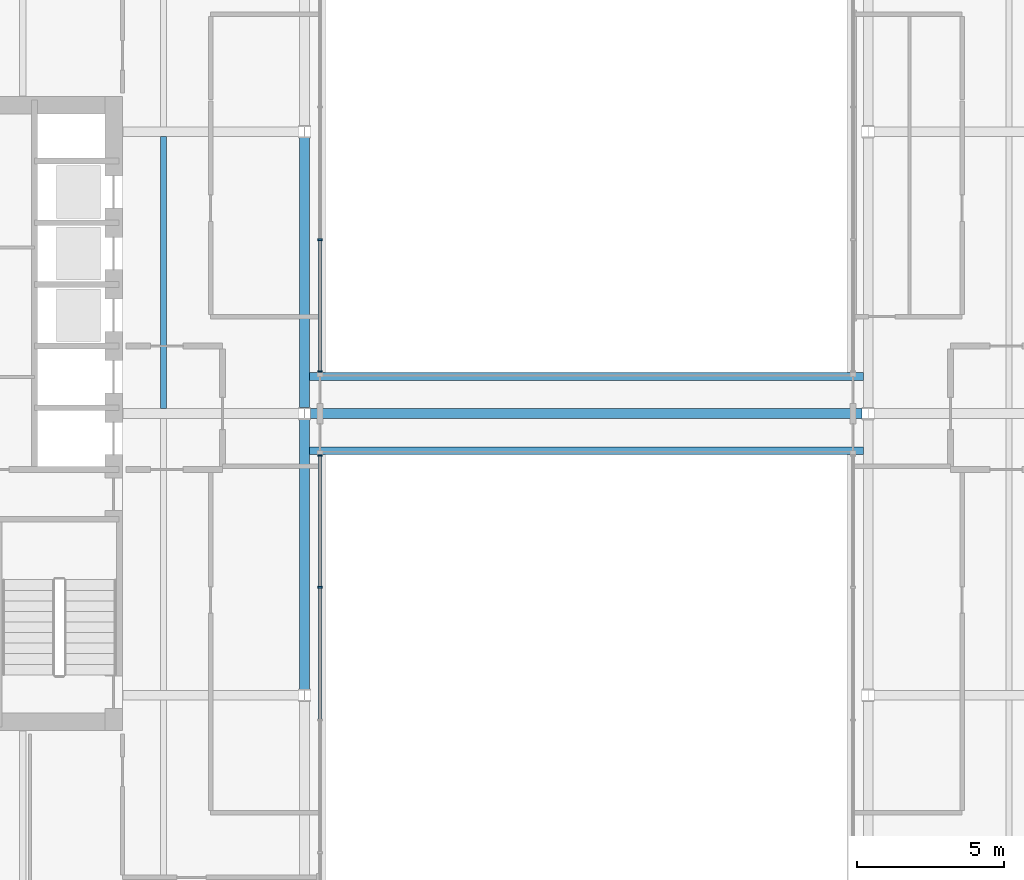
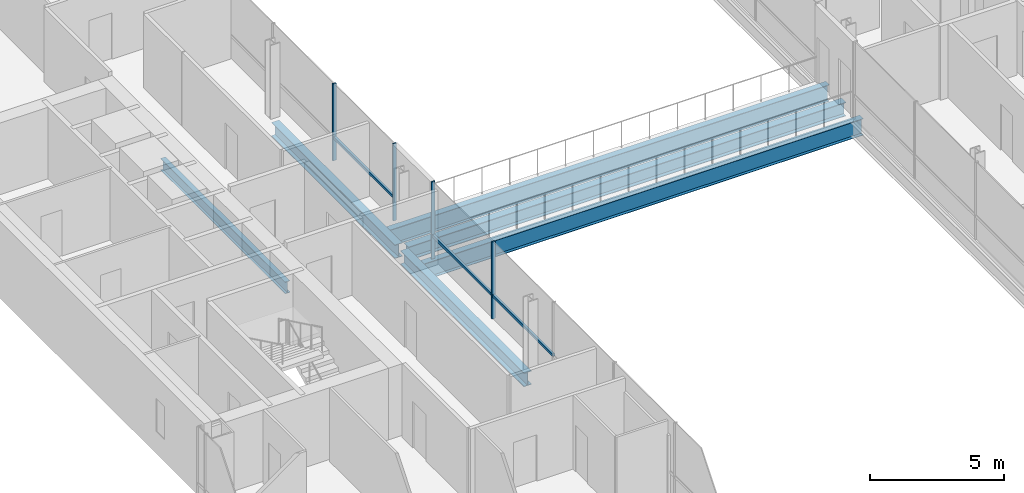
# One storey, part 3 of 19: 7 members, 6 beams, 2 elements without a shape of their own.
"""IFC4 building model written with IfcOpenShell, lengths in metres."""

from ifc_helpers import new_model, si_unit, direction, frame, origin, origin_2d, place, context, subcontext, project, spatial, rectangle, i_section, extrude, material, material_profile, profile_set, type_object, element, aggregate, save


model = new_model("IFC4")

# Units and contexts
model_context = context("Model", 3, precision=1e-05, world=origin(), true_north=direction((0.0, 1.0)))
body_context = subcontext(model_context, "Body", "Model", "MODEL_VIEW")
ifc_project = project(units=[si_unit("LENGTHUNIT", "METRE"), si_unit("AREAUNIT", "SQUARE_METRE"), si_unit("VOLUMEUNIT", "CUBIC_METRE"), si_unit("PLANEANGLEUNIT", "RADIAN"), si_unit("MASSUNIT", "GRAM", prefix="KILO")], contexts=[model_context])

# Site, building, storey
site_placement = place(None, origin())
site = spatial("IfcSite", under=ifc_project, at=site_placement, CompositionType="ELEMENT")
building_placement = place(site_placement, origin())
building = spatial("IfcBuilding", under=site, at=building_placement, Name="Cobrizo Arcos Hotel Tower", CompositionType="ELEMENT")
storey_placement = place(building_placement, frame((0.0, 0.0, 70.5)))
storey = spatial("IfcBuildingStorey", under=building, at=storey_placement, Name="L16", CompositionType="ELEMENT", Elevation=70.5)

# Curtain wall, members
ifc_material_1 = material(Name="Aluminium 6063-T6 anodised bronze", Category="aluminium")
curtain_wall_type = type_object("IfcCurtainWallType", Name="CW-F void screen", PredefinedType="NOTDEFINED", material=ifc_material_1)
curtain_wall_1_placement = place(storey_placement, origin())
curtain_wall_1 = element("IfcCurtainWall", 1, at=curtain_wall_1_placement, inside=storey, type_object=curtain_wall_type, Name="CW-F L16 void screen A", PredefinedType="NOTDEFINED")
ifc_material_profile_1 = material_profile(ifc_material_1, rectangle(XDim=0.14990234375, YDim=0.06005859375, at=origin_2d()), Name="CW-F mullion 150x60")
ifc_profile_set_1 = profile_set([ifc_material_profile_1], Name="Aluminium 6063-T6 anodised bronze")
member_type_1 = type_object("IfcMemberType", Name="CW-F mullion 150x60", PredefinedType="MULLION", material=ifc_profile_set_1)
member_1_placement = place(storey_placement, frame((-9.074951171875, 5.919921875, 0.0), z_axis=(0.0, 0.0, 1.0), x_axis=(-1.0, 0.0, 0.0)))
member_1 = element("IfcMember", 2, at=member_1_placement, type_object=member_type_1, Name="CW-F mullion 5", PredefinedType="MULLION", context=body_context, shape_type="SweptSolid", body=[
    extrude(rectangle(XDim=0.14990234375, YDim=0.06005859375, at=origin_2d()), origin(), (0.0, 0.0, 1.0), 3.5),
])
member_2_placement = place(storey_placement, frame((-9.074951171875, 1.429931640625, 0.0), z_axis=(0.0, 0.0, 1.0), x_axis=(-1.0, 0.0, 0.0)))
member_2 = element("IfcMember", 3, at=member_2_placement, type_object=member_type_1, Name="CW-F mullion 6", PredefinedType="MULLION", context=body_context, shape_type="SweptSolid", body=[
    extrude(rectangle(XDim=0.14990234375, YDim=0.06005859375, at=origin_2d()), origin(), (0.0, 0.0, 1.0), 3.5),
])

curtain_wall_2_placement = place(storey_placement, origin())
curtain_wall_2 = element("IfcCurtainWall", 4, at=curtain_wall_2_placement, inside=storey, type_object=curtain_wall_type, Name="CW-F L16 void screen A", PredefinedType="NOTDEFINED")
member_3_placement = place(storey_placement, frame((-9.074951171875, -1.429931640625, 0.0), z_axis=(0.0, 0.0, 1.0), x_axis=(-1.0, 0.0, 0.0)))
member_3 = element("IfcMember", 5, at=member_3_placement, type_object=member_type_1, Name="CW-F mullion 1", PredefinedType="MULLION", context=body_context, shape_type="SweptSolid", body=[
    extrude(rectangle(XDim=0.14990234375, YDim=0.06005859375, at=origin_2d()), origin(), (0.0, 0.0, 1.0), 3.5),
])
member_4_placement = place(storey_placement, frame((-9.074951171875, -5.919921875, 0.0), z_axis=(0.0, 0.0, 1.0), x_axis=(-1.0, 0.0, 0.0)))
member_4 = element("IfcMember", 6, at=member_4_placement, type_object=member_type_1, Name="CW-F mullion 2", PredefinedType="MULLION", context=body_context, shape_type="SweptSolid", body=[
    extrude(rectangle(XDim=0.14990234375, YDim=0.06005859375, at=origin_2d()), origin(), (0.0, 0.0, 1.0), 3.5),
])

# Member
ifc_material_profile_2 = material_profile(ifc_material_1, rectangle(XDim=0.10009765625, YDim=0.1201171875, at=origin_2d()), Name="CW-F transom 120x100")
ifc_profile_set_2 = profile_set([ifc_material_profile_2], Name="Aluminium 6063-T6 anodised bronze")
member_type_2 = type_object("IfcMemberType", Name="CW-F transom 120x100", PredefinedType="USERDEFINED", material=ifc_profile_set_2)
member_5_placement = place(storey_placement, frame((-9.074951171875, 5.889892578125, 1.050048828125), z_axis=(0.0, -1.0, 0.0), x_axis=(1.0, 0.0, 0.0)))
member_5 = element("IfcMember", 7, at=member_5_placement, type_object=member_type_2, Name="CW-F transom 2502", ObjectType="TRANSOM", PredefinedType="USERDEFINED", context=body_context, shape_type="SweptSolid", body=[
    extrude(rectangle(XDim=0.10009765625, YDim=0.1201171875, at=origin_2d()), origin(), (0.0, 0.0, 1.0), 4.429931640625),
])

aggregate(curtain_wall_1, [member_1, member_2, member_5])

member_6_placement = place(storey_placement, frame((-9.074951171875, -1.4599609375, 1.050048828125), z_axis=(0.0, -1.0, 0.0), x_axis=(1.0, 0.0, 0.0)))
member_6 = element("IfcMember", 8, at=member_6_placement, type_object=member_type_2, Name="CW-F transom 2503", ObjectType="TRANSOM", PredefinedType="USERDEFINED", context=body_context, shape_type="SweptSolid", body=[
    extrude(rectangle(XDim=0.10009765625, YDim=0.1201171875, at=origin_2d()), origin(), (0.0, 0.0, 1.0), 4.429931640625),
])

member_7_placement = place(storey_placement, frame((-9.074951171875, -5.949951171875, 1.050048828125), z_axis=(0.0, -1.0, 0.0), x_axis=(1.0, 0.0, 0.0)))
member_7 = element("IfcMember", 9, at=member_7_placement, type_object=member_type_2, Name="CW-F transom 2504", ObjectType="TRANSOM", PredefinedType="USERDEFINED", context=body_context, shape_type="SweptSolid", body=[
    extrude(rectangle(XDim=0.10009765625, YDim=0.1201171875, at=origin_2d()), origin(), (0.0, 0.0, 1.0), 4.4599609375),
])

aggregate(curtain_wall_2, [member_3, member_4, member_6, member_7])

# Beams
ifc_material_2 = material(Name="Steel ASTM A992 Grade 50", Category="steel")
ifc_material_profile_3 = material_profile(ifc_material_2, i_section(OverallWidth=0.209228515625, OverallDepth=0.533447265625, WebThickness=0.01025390625, FlangeThickness=0.015625, at=origin_2d()), Name="W21X62")
ifc_profile_set_3 = profile_set([ifc_material_profile_3], Name="Steel ASTM A992 Grade 50")
beam_type_1 = type_object("IfcBeamType", Name="W21X62 joist", PredefinedType="JOIST", material=ifc_profile_set_3)
beam_1_placement = place(storey_placement, frame((-14.39990234375, 0.163818359375, -0.416748046875), z_axis=(0.0, 1.0, 0.0), x_axis=(-1.0, 0.0, 0.0)))
element("IfcBeam", 10, at=beam_1_placement, inside=storey, type_object=beam_type_1, Name="Floor joist J1, L16, no. 005", PredefinedType="JOIST", context=body_context, shape_type="SweptSolid", body=[
    extrude(i_section(OverallWidth=0.209228515625, OverallDepth=0.533447265625, WebThickness=0.01025390625, FlangeThickness=0.015625, at=origin_2d()), origin(), (0.0, 0.0, 1.0), 9.272216796875),
])
ifc_material_profile_4 = material_profile(ifc_material_2, i_section(OverallWidth=0.32763671875, OverallDepth=0.622314453125, WebThickness=0.015380859375, FlangeThickness=0.0244140625, at=origin_2d()), Name="W24X131")
ifc_profile_set_4 = profile_set([ifc_material_profile_4], Name="Steel ASTM A992 Grade 50")
beam_type_2 = type_object("IfcBeamType", Name="W24X131 girder", PredefinedType="BEAM", material=ifc_profile_set_4)
beam_2_placement = place(storey_placement, frame((-9.3955078125, 0.0, -0.461181640625), z_axis=(1.0, 0.0, 0.0), x_axis=(0.0, 1.0, 0.0)))
element("IfcBeam", 11, at=beam_2_placement, inside=storey, type_object=beam_type_2, Name="Floor girder G1, L16, no. 004", PredefinedType="BEAM", context=body_context, shape_type="SweptSolid", body=[
    extrude(i_section(OverallWidth=0.32763671875, OverallDepth=0.622314453125, WebThickness=0.015380859375, FlangeThickness=0.0244140625, at=origin_2d()), origin(), (0.0, 0.0, 1.0), 18.791015625),
])
for number, where, z_axis, x_axis, name in (
    (12, (-9.60009765625, -9.3955078125, -0.461181640625), (0.0, 1.0, 0.0), (-1.0, 0.0, 0.0), "Floor girder G1, L16, no. 009"),
    (13, (-9.60009765625, 0.204345703125, -0.461181640625), (0.0, 1.0, 0.0), (-1.0, 0.0, 0.0), "Floor girder G1, L16, no. 010"),
):
    element("IfcBeam", number, at=place(storey_placement, frame(where, z_axis=z_axis, x_axis=x_axis)), inside=storey, type_object=beam_type_2, Name=name, PredefinedType="BEAM", context=body_context, shape_type="SweptSolid", body=[
        extrude(i_section(OverallWidth=0.32763671875, OverallDepth=0.622314453125, WebThickness=0.015380859375, FlangeThickness=0.0244140625, at=origin_2d()), origin(), (0.0, 0.0, 1.0), 9.191162109375),
    ])
ifc_material_profile_5 = material_profile(ifc_material_2, i_section(OverallWidth=0.2666015625, OverallDepth=0.7568359375, WebThickness=0.013916015625, FlangeThickness=0.019287109375, at=origin_2d()), Name="W30X108")
ifc_profile_set_5 = profile_set([ifc_material_profile_5], Name="Steel ASTM A992 Grade 50")
beam_type_3 = type_object("IfcBeamType", Name="W30X108 bridge girder", PredefinedType="BEAM", material=ifc_profile_set_5)
for number, where, z_axis, x_axis, name in (
    (14, (-9.43603515625, -1.2666015625, -0.528564453125), (1.0, 0.0, 0.0), (0.0, 1.0, 0.0), "Bridge girder BG1, L16, no. 001"),
    (15, (-9.43603515625, 1.2666015625, -0.528564453125), (1.0, 0.0, 0.0), (0.0, 1.0, 0.0), "Bridge girder BG1, L16, no. 002"),
):
    element("IfcBeam", number, at=place(storey_placement, frame(where, z_axis=z_axis, x_axis=x_axis)), inside=storey, type_object=beam_type_3, Name=name, PredefinedType="BEAM", context=body_context, shape_type="SweptSolid", body=[
        extrude(i_section(OverallWidth=0.2666015625, OverallDepth=0.7568359375, WebThickness=0.013916015625, FlangeThickness=0.019287109375, at=origin_2d()), origin(), (0.0, 0.0, 1.0), 18.8720703125),
    ])

save(model, "model.ifc")
